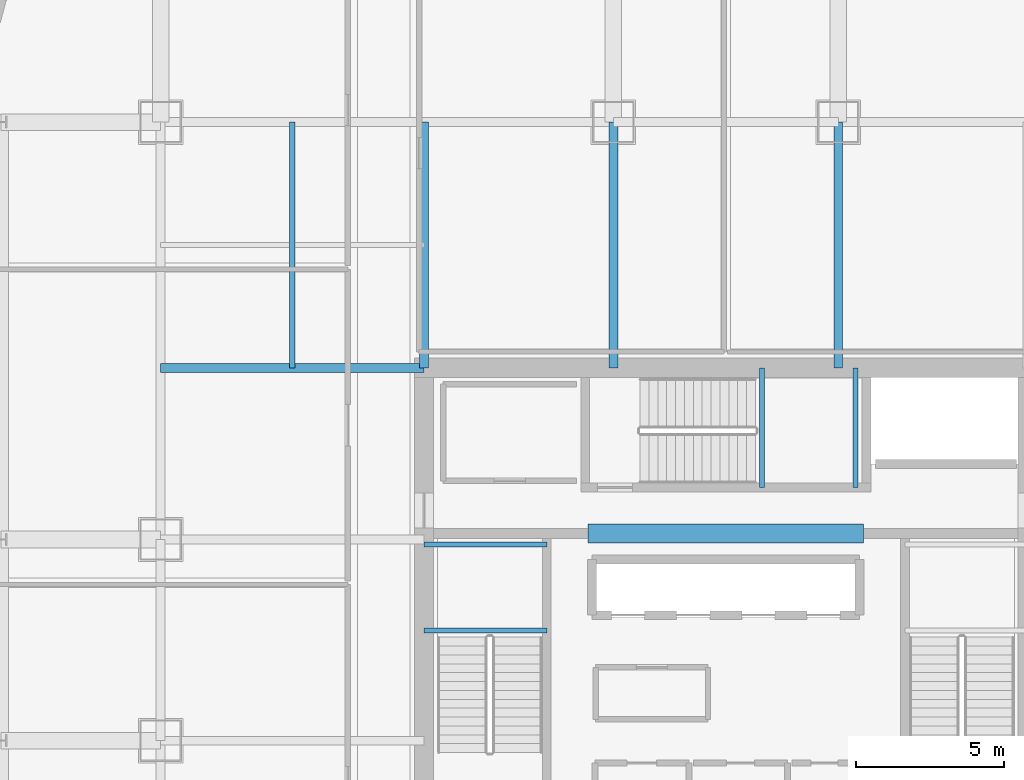
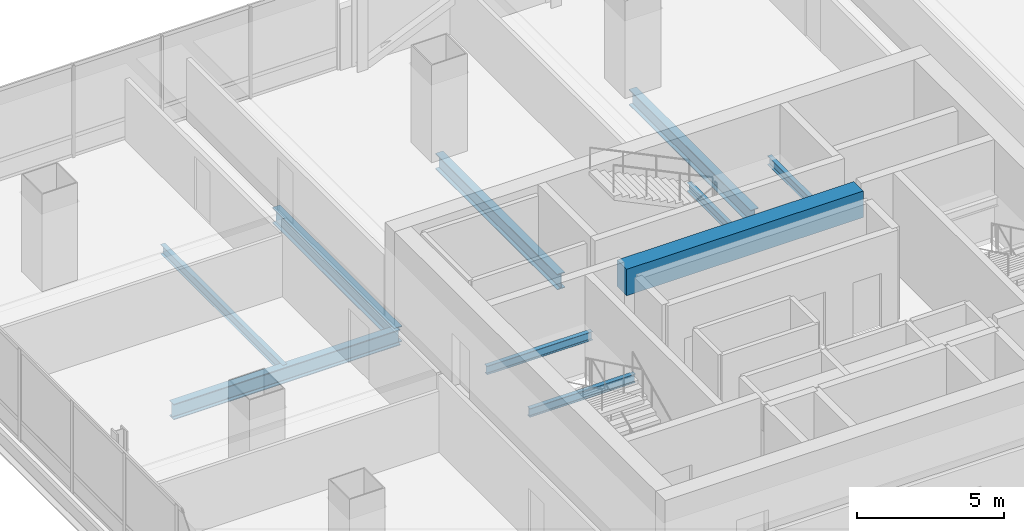
# One storey, part 13 of 38: 10 beams.
"""IFC4 building model written with IfcOpenShell, lengths in metres."""

from ifc_helpers import new_model, si_unit, direction, frame, origin, origin_2d, place, context, subcontext, project, spatial, rectangle, i_section, extrude, material, material_profile, profile_set, type_object, element, save


model = new_model("IFC4")

# Units and contexts
model_context = context("Model", 3, precision=1e-05, world=origin(), true_north=direction((0.0, 1.0)))
body_context = subcontext(model_context, "Body", "Model", "MODEL_VIEW")
ifc_project = project(units=[si_unit("LENGTHUNIT", "METRE"), si_unit("AREAUNIT", "SQUARE_METRE"), si_unit("VOLUMEUNIT", "CUBIC_METRE"), si_unit("PLANEANGLEUNIT", "RADIAN"), si_unit("MASSUNIT", "GRAM", prefix="KILO")], contexts=[model_context])

# Site, building, storey
site_placement = place(None, origin())
site = spatial("IfcSite", under=ifc_project, at=site_placement, CompositionType="ELEMENT")
building_placement = place(site_placement, origin())
building = spatial("IfcBuilding", under=site, at=building_placement, Name="Punatoya Terracotta Tower", CompositionType="ELEMENT")
storey_placement = place(building_placement, frame((0.0, 0.0, 156.0)))
storey = spatial("IfcBuildingStorey", under=building, at=storey_placement, Name="L36", CompositionType="ELEMENT", Elevation=156.0)

# Beams
ifc_material_1 = material(Name="Steel S355", Category="steel")
ifc_material_profile_1 = material_profile(ifc_material_1, i_section(OverallWidth=0.300048828125, OverallDepth=0.64990234375, WebThickness=0.01611328125, FlangeThickness=0.031005859375, FilletRadius=0.01806640625, at=origin_2d()))
ifc_profile_set_1 = profile_set([ifc_material_profile_1], Name="Steel S355")
beam_type_1 = type_object("IfcBeamType", Name="BM-PRI-650", PredefinedType="BEAM", material=ifc_profile_set_1)
beam_1_placement = place(storey_placement, frame((-19.10009765625, 9.199951171875, -0.544921875), z_axis=(1.0, 0.0, 0.0), x_axis=(0.0, 1.0, 0.0)))
element("IfcBeam", 1, at=beam_1_placement, inside=storey, type_object=beam_type_1, Name="BM-L36-PR-WN", PredefinedType="BEAM", context=body_context, shape_type="SweptSolid", body=[
    extrude(i_section(OverallWidth=0.300048828125, OverallDepth=0.64990234375, WebThickness=0.01611328125, FlangeThickness=0.031005859375, FilletRadius=0.01806640625, at=origin_2d()), origin(), (0.0, 0.0, 1.0), 8.900146484375),
])
for number, where, z_axis, x_axis, name in (
    (2, (-10.199951171875, 9.199951171875, -0.544921875), (0.0, 1.0, 0.0), (-1.0, 0.0, 0.0), "BM-L36-PR-N1"),
    (3, (-3.800048828125, 9.199951171875, -0.544921875), (0.0, 1.0, 0.0), (-1.0, 0.0, 0.0), "BM-L36-PR-N2"),
    (4, (3.800048828125, 9.199951171875, -0.544921875), (0.0, 1.0, 0.0), (-1.0, 0.0, 0.0), "BM-L36-PR-N3"),
):
    element("IfcBeam", number, at=place(storey_placement, frame(where, z_axis=z_axis, x_axis=x_axis)), inside=storey, type_object=beam_type_1, Name=name, PredefinedType="BEAM", context=body_context, shape_type="SweptSolid", body=[
        extrude(i_section(OverallWidth=0.300048828125, OverallDepth=0.64990234375, WebThickness=0.01611328125, FlangeThickness=0.031005859375, FilletRadius=0.01806640625, at=origin_2d()), origin(), (0.0, 0.0, 1.0), 8.300048828125),
    ])
ifc_material_2 = material(Name="Concrete C60/75", Category="concrete")
ifc_material_profile_2 = material_profile(ifc_material_2, rectangle(XDim=0.64990234375, YDim=1.10009765625, at=origin_2d()))
ifc_profile_set_2 = profile_set([ifc_material_profile_2], Name="Concrete C60/75")
beam_type_2 = type_object("IfcBeamType", Name="BM-RC-1100", PredefinedType="LINTEL", material=ifc_profile_set_2)
beam_2_placement = place(storey_placement, frame((-4.64990234375, 3.60009765625, 3.280029296875), z_axis=(1.0, 0.0, 0.0), x_axis=(0.0, 1.0, 0.0)))
element("IfcBeam", 5, at=beam_2_placement, inside=storey, type_object=beam_type_2, Name="L36 Core Coupling Lintel CNW", PredefinedType="LINTEL", context=body_context, shape_type="SweptSolid", body=[
    extrude(rectangle(XDim=0.64990234375, YDim=1.10009765625, at=origin_2d()), origin(), (0.0, 0.0, 1.0), 9.2998046875),
])
ifc_material_profile_3 = material_profile(ifc_material_1, i_section(OverallWidth=0.169921875, OverallDepth=0.360107421875, WebThickness=0.008056640625, FlangeThickness=0.0126953125, FilletRadius=0.01806640625, at=origin_2d()))
ifc_profile_set_3 = profile_set([ifc_material_profile_3], Name="Steel S355")
beam_type_3 = type_object("IfcBeamType", Name="BM-SEC-360", PredefinedType="JOIST", material=ifc_profile_set_3)
for number, where, z_axis, x_axis, name in (
    (6, (-10.199951171875, 0.320068359375, 1.64501953125), (1.0, 0.0, 0.0), (0.0, 1.0, 0.0), "BM-L36-ST-1-LD1A"),
    (7, (-10.199951171875, 3.22998046875, 1.64501953125), (1.0, 0.0, 0.0), (0.0, 1.0, 0.0), "BM-L36-ST-1-LD1B"),
):
    element("IfcBeam", number, at=place(storey_placement, frame(where, z_axis=z_axis, x_axis=x_axis)), inside=storey, type_object=beam_type_3, Name=name, PredefinedType="JOIST", context=body_context, shape_type="SweptSolid", body=[
        extrude(i_section(OverallWidth=0.169921875, OverallDepth=0.360107421875, WebThickness=0.008056640625, FlangeThickness=0.0126953125, FilletRadius=0.01806640625, at=origin_2d()), origin(), (0.0, 0.0, 1.0), 4.14990234375),
    ])
for number, where, z_axis, x_axis, name in (
    (8, (1.219970703125, 5.14990234375, 1.64501953125), (0.0, 1.0, 0.0), (-1.0, 0.0, 0.0), "BM-L36-ST-3-LD1A"),
    (9, (4.3798828125, 5.14990234375, 1.64501953125), (0.0, 1.0, 0.0), (-1.0, 0.0, 0.0), "BM-L36-ST-3-LD1B"),
):
    element("IfcBeam", number, at=place(storey_placement, frame(where, z_axis=z_axis, x_axis=x_axis)), inside=storey, type_object=beam_type_3, Name=name, PredefinedType="JOIST", context=body_context, shape_type="SweptSolid", body=[
        extrude(i_section(OverallWidth=0.169921875, OverallDepth=0.360107421875, WebThickness=0.008056640625, FlangeThickness=0.0126953125, FilletRadius=0.01806640625, at=origin_2d()), origin(), (0.0, 0.0, 1.0), 4.050048828125),
    ])
ifc_material_profile_4 = material_profile(ifc_material_1, i_section(OverallWidth=0.179931640625, OverallDepth=0.39990234375, WebThickness=0.008544921875, FlangeThickness=0.013427734375, FilletRadius=0.01806640625, at=origin_2d()))
ifc_profile_set_4 = profile_set([ifc_material_profile_4], Name="Steel S355")
beam_type_4 = type_object("IfcBeamType", Name="BM-SEC-400", PredefinedType="JOIST", material=ifc_profile_set_4)
beam_3_placement = place(storey_placement, frame((-14.64990234375, 9.199951171875, -0.419921875), z_axis=(0.0, 1.0, 0.0), x_axis=(-1.0, 0.0, 0.0)))
element("IfcBeam", 10, at=beam_3_placement, inside=storey, type_object=beam_type_4, Name="BM-L36-SJW-2", PredefinedType="JOIST", context=body_context, shape_type="SweptSolid", body=[
    extrude(i_section(OverallWidth=0.179931640625, OverallDepth=0.39990234375, WebThickness=0.008544921875, FlangeThickness=0.013427734375, FilletRadius=0.01806640625, at=origin_2d()), origin(), (0.0, 0.0, 1.0), 8.300048828125),
])

save(model, "model.ifc")
